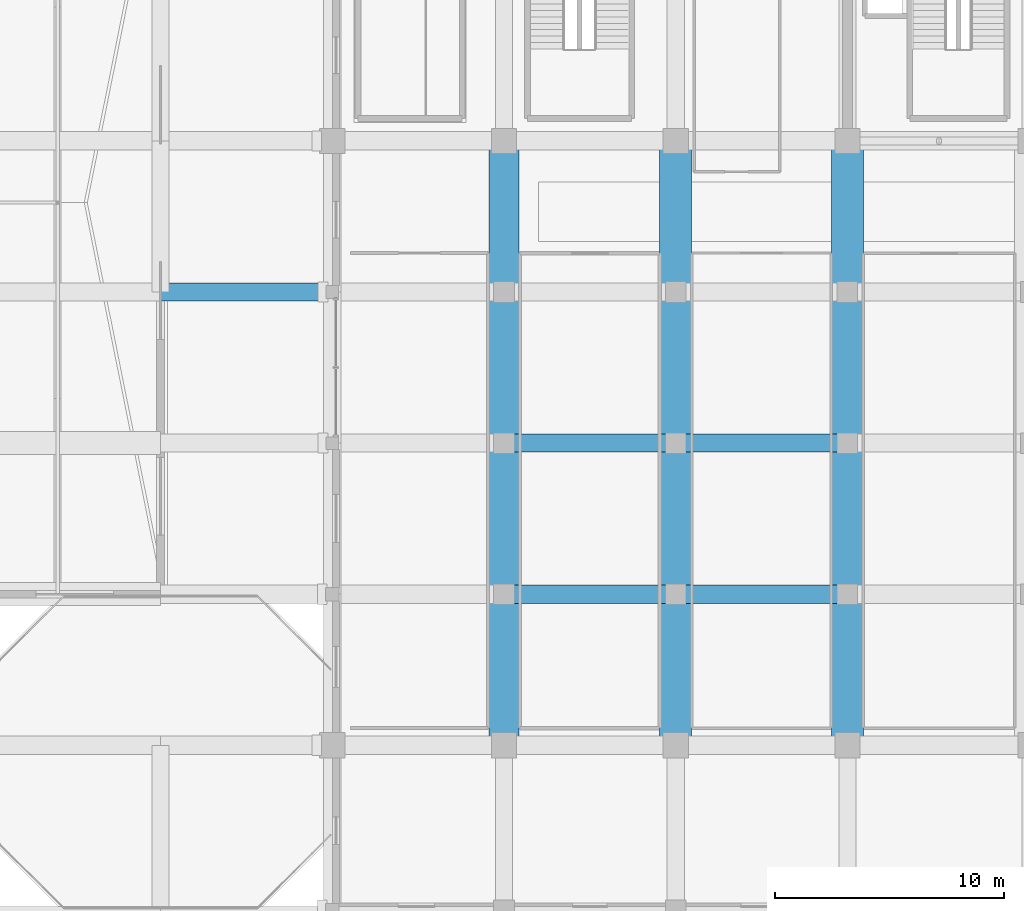
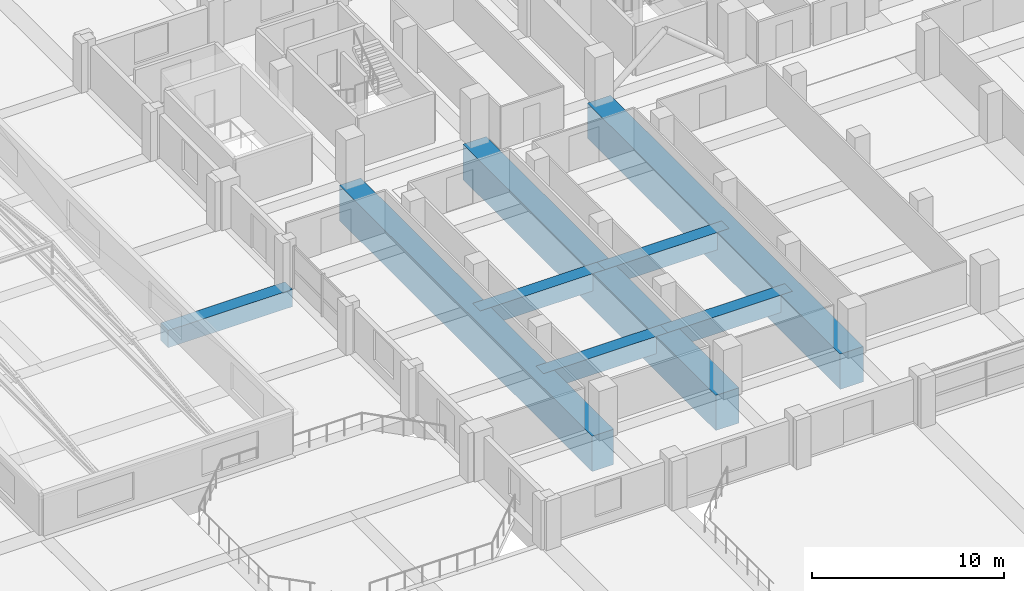
# One storey, part 10 of 49: 8 beams.
"""IFC4 building model written with IfcOpenShell, lengths in metres."""

import ifcopenshell
import ifcopenshell.guid

model = None  # the IFC model being written
_history = None  # IfcOwnerHistory: only IFC2X3 demands one
_inside = {}  # id of a spatial element -> (the spatial element, [elements in it])
_under = {}  # id of a project, library or spatial element -> (it, [spatial elements below it])
_declared = {}  # id of a project -> (the project, [libraries it declares])
_typed = {}  # id of a type object -> (the type object, [elements of that type])
_made_of = {}  # id of a material, layer set ... -> (it, [elements and type objects made of it])


def new_model(schema):
    """Start an empty IFC model of exactly this schema.

    Asked for "IFC4X3", IfcOpenShell would pick the latest addendum, in which some entities
    have other attributes; the version numbers below select the first issue.
    IFC2X3 requires an IfcOwnerHistory on every rooted entity: one is made here for all.
    """
    global model, _history
    if schema == "IFC4X3":
        model = ifcopenshell.file(schema_version=(4, 3, 0, 0))
    else:
        model = ifcopenshell.file(schema=schema)
    _inside.clear()
    _under.clear()
    _declared.clear()
    _typed.clear()
    _made_of.clear()
    _history = None
    if model.schema == "IFC2X3":
        org = make("IfcOrganization", Name="unknown")
        user = make(
            "IfcPersonAndOrganization",
            ThePerson=make("IfcPerson", FamilyName="unknown"),
            TheOrganization=org,
        )
        app = make(
            "IfcApplication",
            ApplicationDeveloper=org,
            Version="unknown",
            ApplicationFullName="unknown",
            ApplicationIdentifier="unknown",
        )
        _history = make(
            "IfcOwnerHistory",
            OwningUser=user,
            OwningApplication=app,
            ChangeAction="ADDED",
            CreationDate=0,
        )
    return model


def make(cls, **values):
    """One entity of the class cls with the attributes given. An attribute that is None is left unset."""
    return model.create_entity(
        cls, **{name: value for name, value in values.items() if value is not None}
    )


def rooted(cls, **values):
    """An entity with a GlobalId (a new one), such as an element, a storey or a relation."""
    return make(cls, GlobalId=ifcopenshell.guid.new(), OwnerHistory=_history, **values)


def si_unit(unit_type, name, prefix=None):
    """IfcSIUnit, for example si_unit("LENGTHUNIT", "METRE", prefix="MILLI")."""
    return make("IfcSIUnit", UnitType=unit_type, Prefix=prefix, Name=name)


def assignment(units):
    """IfcUnitAssignment: the units of a project."""
    return None if units is None else make("IfcUnitAssignment", Units=units)


def point(xyz):
    """IfcCartesianPoint."""
    return None if xyz is None else make("IfcCartesianPoint", Coordinates=xyz)


def direction(xyz):
    """IfcDirection."""
    return None if xyz is None else make("IfcDirection", DirectionRatios=xyz)


def frame(location, z_axis=None, x_axis=None):
    """IfcAxis2Placement3D, a coordinate frame: its origin and axes. An axis left out is left unset."""
    return make(
        "IfcAxis2Placement3D",
        Location=point(location),
        Axis=direction(z_axis),
        RefDirection=direction(x_axis),
    )


def frame_2d(location, x_axis=None):
    """IfcAxis2Placement2D, a coordinate frame in the plane: its origin and x axis."""
    return make(
        "IfcAxis2Placement2D", Location=point(location), RefDirection=direction(x_axis)
    )


def origin():
    """The frame at (0, 0, 0) with its axes left unset."""
    return frame((0.0, 0.0, 0.0))


def origin_2d():
    """The frame at (0, 0) in the plane with its x axis left unset."""
    return frame_2d((0.0, 0.0))


def place(relative_to, where):
    """IfcLocalPlacement: puts the frame where relative to a parent placement (None: the world)."""
    return make(
        "IfcLocalPlacement", PlacementRelTo=relative_to, RelativePlacement=where
    )


def context(
    kind, dimensions, precision=None, world=None, true_north=None, identifier=None
):
    """IfcGeometricRepresentationContext, for example the 3D "Model" context."""
    return make(
        "IfcGeometricRepresentationContext",
        ContextIdentifier=identifier,
        ContextType=kind,
        CoordinateSpaceDimension=dimensions,
        Precision=precision,
        WorldCoordinateSystem=world,
        TrueNorth=true_north,
    )


def subcontext(parent, identifier, kind, view, scale=None):
    """IfcGeometricRepresentationSubContext, for example "Body" below "Model"."""
    return make(
        "IfcGeometricRepresentationSubContext",
        ContextIdentifier=identifier,
        ContextType=kind,
        ParentContext=parent,
        TargetScale=scale,
        TargetView=view,
    )


def project(units=None, contexts=None):
    """IfcProject with its units and contexts."""
    return rooted(
        "IfcProject",
        Name="project",
        RepresentationContexts=contexts,
        UnitsInContext=assignment(units),
    )


def spatial(cls, under=None, at=None, **own):
    """A site, building, storey or space (cls), placed at a placement, below another one or the project."""
    s = rooted(cls, ObjectPlacement=at, **own)
    if under is not None:
        _under.setdefault(under.id(), (under, []))[1].append(s)
    return s


def profile(cls, at=None, kind="AREA", **sizes):
    """A parametric profile (cls). Its sizes go by their IFC names, for example OverallWidth=200.0."""
    return make(cls, ProfileType=kind, Position=at, **sizes)


def rectangle(**sizes):
    """IfcRectangleProfileDef."""
    return profile("IfcRectangleProfileDef", **sizes)


def extrude(swept, where, along, depth):
    """IfcExtrudedAreaSolid: the profile swept, set in the frame where, extruded along a direction by depth."""
    return make(
        "IfcExtrudedAreaSolid",
        SweptArea=swept,
        Position=where,
        ExtrudedDirection=direction(along),
        Depth=depth,
    )


def shape(context_of_items, identifier, shape_type, items):
    """IfcShapeRepresentation: the items that make up one representation, for example the "Body"."""
    return make(
        "IfcShapeRepresentation",
        ContextOfItems=context_of_items,
        RepresentationIdentifier=identifier,
        RepresentationType=shape_type,
        Items=items,
    )


def material(Name=None, Category=None):
    """IfcMaterial."""
    return make("IfcMaterial", Name=Name, Category=Category)


def material_profile(
    of_material, cross_section, Name=None, Category=None, Priority=None
):
    """IfcMaterialProfile: a cross section and its material."""
    return make(
        "IfcMaterialProfile",
        Name=Name,
        Material=of_material,
        Profile=cross_section,
        Priority=Priority,
        Category=Category,
    )


def profile_set(profiles, Name=None, composite=None):
    """IfcMaterialProfileSet."""
    return make(
        "IfcMaterialProfileSet",
        Name=Name,
        MaterialProfiles=profiles,
        CompositeProfile=composite,
    )


def made_of(thing, what):
    """Note that an element or type object is made of a material, layer set ...; save() writes the relation."""
    if what is not None:
        _made_of.setdefault(what.id(), (what, []))[1].append(thing)
    return thing


def type_object(cls, material=None, **own):
    """A type object (cls), such as IfcWallType, which elements share."""
    return made_of(rooted(cls, **own), material)


def element(
    cls,
    number,
    at=None,
    inside=None,
    cuts=None,
    type_object=None,
    material=None,
    context=None,
    identifier="Body",
    shape_type=None,
    held_by="IfcProductDefinitionShape",
    body=None,
    shapes=None,
    **own,
):
    """One element of the class cls, such as IfcWall. Its Tag is "e" and its number.

    at: its placement. inside: the storey or other place that contains it. cuts: it is an
    opening in that element (IfcRelVoidsElement). A single representation is given by context,
    identifier, shape_type and body (its items); several are given by shapes. held_by: the class
    of the entity that holds the representations. save() writes the other relations.
    """
    e = rooted(cls, Tag="e%d" % number, ObjectPlacement=at, **own)
    if body is not None:
        shapes = [shape(context, identifier, shape_type, body)]
    if shapes is not None:
        e.Representation = make(held_by, Representations=shapes)
    if inside is not None:
        _inside.setdefault(inside.id(), (inside, []))[1].append(e)
    if cuts is not None:
        rooted(
            "IfcRelVoidsElement", RelatingBuildingElement=cuts, RelatedOpeningElement=e
        )
    if type_object is not None:
        _typed.setdefault(type_object.id(), (type_object, []))[1].append(e)
    return made_of(e, material)


def aggregate(whole, parts):
    """IfcRelAggregates: a whole, such as a stair, and the parts it consists of."""
    return rooted("IfcRelAggregates", RelatingObject=whole, RelatedObjects=parts)


def save(model, path):
    """Write the relations noted so far, then the file.

    IfcRelAggregates (storeys below a building ...), IfcRelContainedInSpatialStructure (elements
    in a storey), IfcRelDefinesByType, IfcRelAssociatesMaterial and IfcRelDeclares: one each for
    every whole, place, type object, material and project.
    """
    for whole, parts in _under.values():
        aggregate(whole, parts)
    for where, things in _inside.values():
        rooted(
            "IfcRelContainedInSpatialStructure",
            RelatedElements=things,
            RelatingStructure=where,
        )
    for kind, things in _typed.values():
        rooted("IfcRelDefinesByType", RelatedObjects=things, RelatingType=kind)
    for what, things in _made_of.values():
        rooted("IfcRelAssociatesMaterial", RelatedObjects=things, RelatingMaterial=what)
    for by, libraries in _declared.values():
        rooted("IfcRelDeclares", RelatingContext=by, RelatedDefinitions=libraries)
    model.write(path)


model = new_model("IFC4")

# Units and contexts
model_context = context("Model", 3, precision=1e-05, world=origin(), true_north=direction((0.0, 1.0)))
body_context = subcontext(model_context, "Body", "Model", "MODEL_VIEW")
ifc_project = project(units=[si_unit("LENGTHUNIT", "METRE"), si_unit("AREAUNIT", "SQUARE_METRE"), si_unit("VOLUMEUNIT", "CUBIC_METRE"), si_unit("PLANEANGLEUNIT", "RADIAN"), si_unit("MASSUNIT", "GRAM", prefix="KILO")], contexts=[model_context])

# Site, building, storey
site_placement = place(None, origin())
site = spatial("IfcSite", under=ifc_project, at=site_placement, CompositionType="ELEMENT")
building_placement = place(site_placement, origin())
building = spatial("IfcBuilding", under=site, at=building_placement, Name="Akrevak Sports Hall", CompositionType="ELEMENT")
storey_placement = place(building_placement, frame((0.0, 0.0, 24.14990234375)))
storey = spatial("IfcBuildingStorey", under=building, at=storey_placement, Name="L04", CompositionType="ELEMENT", Elevation=24.14990234375)

# Beams
ifc_material = material(Name="Concrete C50/60", Category="concrete")
ifc_material_profile_1 = material_profile(ifc_material, rectangle(XDim=1.300048828125, YDim=2.25, at=origin_2d()), Name="PTG 1300x2250", Category="concrete")
ifc_profile_set_1 = profile_set([ifc_material_profile_1], Name="Concrete C50/60")
beam_type_1 = type_object("IfcBeamType", Name="PT-Transfer-Girder-1300x2250", PredefinedType="USERDEFINED", material=ifc_profile_set_1)
beam_placement = place(storey_placement, frame((45.0, 28.800048828125, -1.125), z_axis=(0.0, 1.0, 0.0), x_axis=(-1.0, 0.0, 0.0)))
element("IfcBeam", 1, at=beam_placement, inside=storey, type_object=beam_type_1, Name="PT Transfer Girder PTG-L04-7 (26.4m Clear Span)", ObjectType="PT TRANSFER GIRDER", PredefinedType="USERDEFINED", context=body_context, shape_type="SweptSolid", body=[
    extrude(rectangle(XDim=1.300048828125, YDim=2.25, at=origin_2d()), origin(), (0.0, 0.0, 1.0), 26.39990234375),
])
ifc_material_profile_2 = material_profile(ifc_material, rectangle(XDim=1.39990234375, YDim=2.25, at=origin_2d()), Name="PTG 1400x2250", Category="concrete")
ifc_profile_set_2 = profile_set([ifc_material_profile_2], Name="Concrete C50/60")
beam_type_2 = type_object("IfcBeamType", Name="PT-Transfer-Girder-1400x2250", PredefinedType="USERDEFINED", material=ifc_profile_set_2)
for number, where, z_axis, x_axis, name in (
    (2, (52.5, 28.800048828125, -1.125), (0.0, 1.0, 0.0), (-1.0, 0.0, 0.0), "PT Transfer Girder PTG-L04-8 (26.4m Clear Span)"),
    (3, (60.0, 28.800048828125, -1.125), (0.0, 1.0, 0.0), (-1.0, 0.0, 0.0), "PT Transfer Girder PTG-L04-9 (26.4m Clear Span)"),
):
    element("IfcBeam", number, at=place(storey_placement, frame(where, z_axis=z_axis, x_axis=x_axis)), inside=storey, type_object=beam_type_2, Name=name, ObjectType="PT TRANSFER GIRDER", PredefinedType="USERDEFINED", context=body_context, shape_type="SweptSolid", body=[
        extrude(rectangle(XDim=1.39990234375, YDim=2.25, at=origin_2d()), origin(), (0.0, 0.0, 1.0), 26.39990234375),
    ])
ifc_material_profile_3 = material_profile(ifc_material, rectangle(XDim=0.800048828125, YDim=1.10009765625, at=origin_2d()), Name="BM 800x1100", Category="concrete")
ifc_profile_set_3 = profile_set([ifc_material_profile_3], Name="Concrete C50/60")
beam_type_3 = type_object("IfcBeamType", Name="STR-BM-RC800x1100", PredefinedType="BEAM", material=ifc_profile_set_3)
for number, where, z_axis, x_axis, name in (
    (4, (45.0, 35.39990234375, -0.5498046875), (1.0, 0.0, 0.0), (0.0, 1.0, 0.0), "Girder F/7-8 (L04)"),
    (5, (52.5, 35.39990234375, -0.5498046875), (1.0, 0.0, 0.0), (0.0, 1.0, 0.0), "Girder F/8-9 (L04)"),
    (6, (45.0, 42.0, -0.5498046875), (1.0, 0.0, 0.0), (0.0, 1.0, 0.0), "Girder G/7-8 (L04)"),
    (7, (52.5, 42.0, -0.5498046875), (1.0, 0.0, 0.0), (0.0, 1.0, 0.0), "Girder G/8-9 (L04)"),
    (8, (30.0, 48.60009765625, -0.5498046875), (1.0, 0.0, 0.0), (0.0, 1.0, 0.0), "Girder H/5-6 (L04)"),
):
    element("IfcBeam", number, at=place(storey_placement, frame(where, z_axis=z_axis, x_axis=x_axis)), inside=storey, type_object=beam_type_3, Name=name, PredefinedType="BEAM", context=body_context, shape_type="SweptSolid", body=[
        extrude(rectangle(XDim=0.800048828125, YDim=1.10009765625, at=origin_2d()), origin(), (0.0, 0.0, 1.0), 7.5),
    ])

save(model, "model.ifc")
